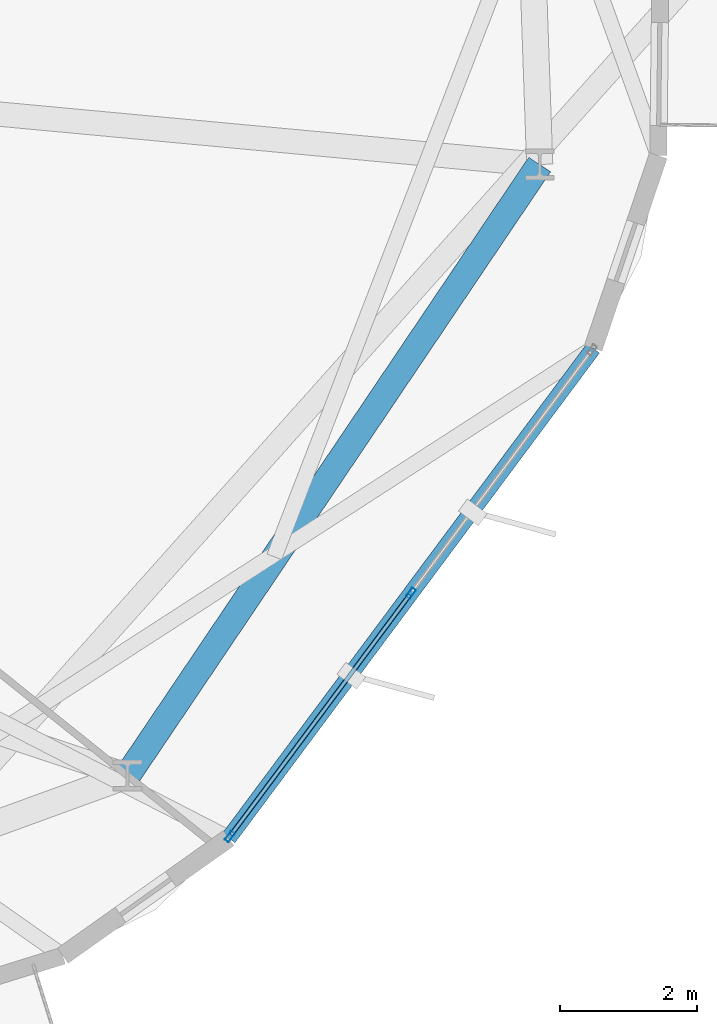
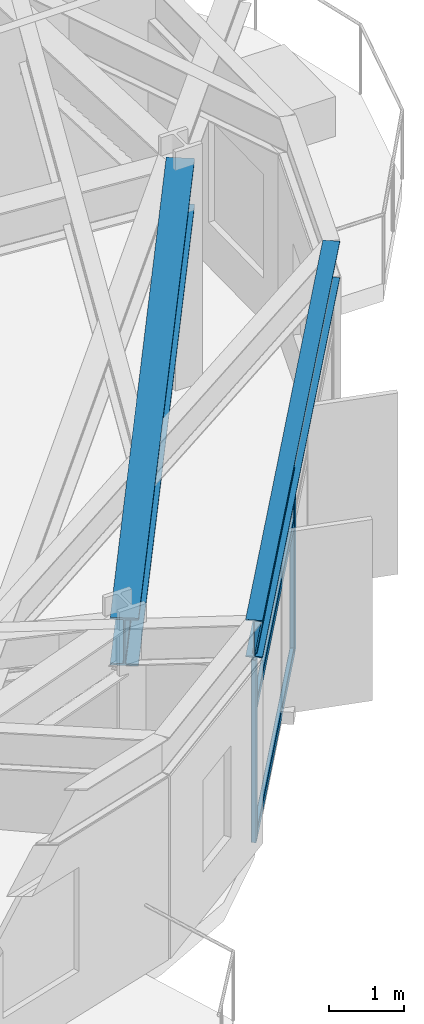
# One storey, part 11 of 27: 5 members, 2 beams, 1 element without a shape of its own.
"""IFC4 building model written with IfcOpenShell, lengths in metres."""

import ifcopenshell
import ifcopenshell.guid

model = None  # the IFC model being written
_history = None  # IfcOwnerHistory: only IFC2X3 demands one
_inside = {}  # id of a spatial element -> (the spatial element, [elements in it])
_under = {}  # id of a project, library or spatial element -> (it, [spatial elements below it])
_declared = {}  # id of a project -> (the project, [libraries it declares])
_typed = {}  # id of a type object -> (the type object, [elements of that type])
_made_of = {}  # id of a material, layer set ... -> (it, [elements and type objects made of it])


def new_model(schema):
    """Start an empty IFC model of exactly this schema.

    Asked for "IFC4X3", IfcOpenShell would pick the latest addendum, in which some entities
    have other attributes; the version numbers below select the first issue.
    IFC2X3 requires an IfcOwnerHistory on every rooted entity: one is made here for all.
    """
    global model, _history
    if schema == "IFC4X3":
        model = ifcopenshell.file(schema_version=(4, 3, 0, 0))
    else:
        model = ifcopenshell.file(schema=schema)
    _inside.clear()
    _under.clear()
    _declared.clear()
    _typed.clear()
    _made_of.clear()
    _history = None
    if model.schema == "IFC2X3":
        org = make("IfcOrganization", Name="unknown")
        user = make(
            "IfcPersonAndOrganization",
            ThePerson=make("IfcPerson", FamilyName="unknown"),
            TheOrganization=org,
        )
        app = make(
            "IfcApplication",
            ApplicationDeveloper=org,
            Version="unknown",
            ApplicationFullName="unknown",
            ApplicationIdentifier="unknown",
        )
        _history = make(
            "IfcOwnerHistory",
            OwningUser=user,
            OwningApplication=app,
            ChangeAction="ADDED",
            CreationDate=0,
        )
    return model


def make(cls, **values):
    """One entity of the class cls with the attributes given. An attribute that is None is left unset."""
    return model.create_entity(
        cls, **{name: value for name, value in values.items() if value is not None}
    )


def rooted(cls, **values):
    """An entity with a GlobalId (a new one), such as an element, a storey or a relation."""
    return make(cls, GlobalId=ifcopenshell.guid.new(), OwnerHistory=_history, **values)


def si_unit(unit_type, name, prefix=None):
    """IfcSIUnit, for example si_unit("LENGTHUNIT", "METRE", prefix="MILLI")."""
    return make("IfcSIUnit", UnitType=unit_type, Prefix=prefix, Name=name)


def assignment(units):
    """IfcUnitAssignment: the units of a project."""
    return None if units is None else make("IfcUnitAssignment", Units=units)


def point(xyz):
    """IfcCartesianPoint."""
    return None if xyz is None else make("IfcCartesianPoint", Coordinates=xyz)


def direction(xyz):
    """IfcDirection."""
    return None if xyz is None else make("IfcDirection", DirectionRatios=xyz)


def frame(location, z_axis=None, x_axis=None):
    """IfcAxis2Placement3D, a coordinate frame: its origin and axes. An axis left out is left unset."""
    return make(
        "IfcAxis2Placement3D",
        Location=point(location),
        Axis=direction(z_axis),
        RefDirection=direction(x_axis),
    )


def frame_2d(location, x_axis=None):
    """IfcAxis2Placement2D, a coordinate frame in the plane: its origin and x axis."""
    return make(
        "IfcAxis2Placement2D", Location=point(location), RefDirection=direction(x_axis)
    )


def origin():
    """The frame at (0, 0, 0) with its axes left unset."""
    return frame((0.0, 0.0, 0.0))


def origin_2d():
    """The frame at (0, 0) in the plane with its x axis left unset."""
    return frame_2d((0.0, 0.0))


def place(relative_to, where):
    """IfcLocalPlacement: puts the frame where relative to a parent placement (None: the world)."""
    return make(
        "IfcLocalPlacement", PlacementRelTo=relative_to, RelativePlacement=where
    )


def context(
    kind, dimensions, precision=None, world=None, true_north=None, identifier=None
):
    """IfcGeometricRepresentationContext, for example the 3D "Model" context."""
    return make(
        "IfcGeometricRepresentationContext",
        ContextIdentifier=identifier,
        ContextType=kind,
        CoordinateSpaceDimension=dimensions,
        Precision=precision,
        WorldCoordinateSystem=world,
        TrueNorth=true_north,
    )


def subcontext(parent, identifier, kind, view, scale=None):
    """IfcGeometricRepresentationSubContext, for example "Body" below "Model"."""
    return make(
        "IfcGeometricRepresentationSubContext",
        ContextIdentifier=identifier,
        ContextType=kind,
        ParentContext=parent,
        TargetScale=scale,
        TargetView=view,
    )


def project(units=None, contexts=None):
    """IfcProject with its units and contexts."""
    return rooted(
        "IfcProject",
        Name="project",
        RepresentationContexts=contexts,
        UnitsInContext=assignment(units),
    )


def spatial(cls, under=None, at=None, **own):
    """A site, building, storey or space (cls), placed at a placement, below another one or the project."""
    s = rooted(cls, ObjectPlacement=at, **own)
    if under is not None:
        _under.setdefault(under.id(), (under, []))[1].append(s)
    return s


def profile(cls, at=None, kind="AREA", **sizes):
    """A parametric profile (cls). Its sizes go by their IFC names, for example OverallWidth=200.0."""
    return make(cls, ProfileType=kind, Position=at, **sizes)


def hollow_rectangle(**sizes):
    """IfcRectangleHollowProfileDef."""
    return profile("IfcRectangleHollowProfileDef", **sizes)


def i_section(**sizes):
    """IfcIShapeProfileDef."""
    return profile("IfcIShapeProfileDef", **sizes)


def extrude(swept, where, along, depth):
    """IfcExtrudedAreaSolid: the profile swept, set in the frame where, extruded along a direction by depth."""
    return make(
        "IfcExtrudedAreaSolid",
        SweptArea=swept,
        Position=where,
        ExtrudedDirection=direction(along),
        Depth=depth,
    )


def shape(context_of_items, identifier, shape_type, items):
    """IfcShapeRepresentation: the items that make up one representation, for example the "Body"."""
    return make(
        "IfcShapeRepresentation",
        ContextOfItems=context_of_items,
        RepresentationIdentifier=identifier,
        RepresentationType=shape_type,
        Items=items,
    )


def material(Name=None, Category=None):
    """IfcMaterial."""
    return make("IfcMaterial", Name=Name, Category=Category)


def layer(
    of_material, thickness, ventilated=None, Name=None, Category=None, Priority=None
):
    """IfcMaterialLayer: one layer of a wall or slab, of a material (None: an air gap)."""
    return make(
        "IfcMaterialLayer",
        Material=of_material,
        LayerThickness=thickness,
        IsVentilated=ventilated,
        Name=Name,
        Category=Category,
        Priority=Priority,
    )


def layer_set(layers, Name=None):
    """IfcMaterialLayerSet."""
    return make("IfcMaterialLayerSet", MaterialLayers=layers, LayerSetName=Name)


def material_profile(
    of_material, cross_section, Name=None, Category=None, Priority=None
):
    """IfcMaterialProfile: a cross section and its material."""
    return make(
        "IfcMaterialProfile",
        Name=Name,
        Material=of_material,
        Profile=cross_section,
        Priority=Priority,
        Category=Category,
    )


def profile_set(profiles, Name=None, composite=None):
    """IfcMaterialProfileSet."""
    return make(
        "IfcMaterialProfileSet",
        Name=Name,
        MaterialProfiles=profiles,
        CompositeProfile=composite,
    )


def made_of(thing, what):
    """Note that an element or type object is made of a material, layer set ...; save() writes the relation."""
    if what is not None:
        _made_of.setdefault(what.id(), (what, []))[1].append(thing)
    return thing


def type_object(cls, material=None, **own):
    """A type object (cls), such as IfcWallType, which elements share."""
    return made_of(rooted(cls, **own), material)


def element(
    cls,
    number,
    at=None,
    inside=None,
    cuts=None,
    type_object=None,
    material=None,
    context=None,
    identifier="Body",
    shape_type=None,
    held_by="IfcProductDefinitionShape",
    body=None,
    shapes=None,
    **own,
):
    """One element of the class cls, such as IfcWall. Its Tag is "e" and its number.

    at: its placement. inside: the storey or other place that contains it. cuts: it is an
    opening in that element (IfcRelVoidsElement). A single representation is given by context,
    identifier, shape_type and body (its items); several are given by shapes. held_by: the class
    of the entity that holds the representations. save() writes the other relations.
    """
    e = rooted(cls, Tag="e%d" % number, ObjectPlacement=at, **own)
    if body is not None:
        shapes = [shape(context, identifier, shape_type, body)]
    if shapes is not None:
        e.Representation = make(held_by, Representations=shapes)
    if inside is not None:
        _inside.setdefault(inside.id(), (inside, []))[1].append(e)
    if cuts is not None:
        rooted(
            "IfcRelVoidsElement", RelatingBuildingElement=cuts, RelatedOpeningElement=e
        )
    if type_object is not None:
        _typed.setdefault(type_object.id(), (type_object, []))[1].append(e)
    return made_of(e, material)


def aggregate(whole, parts):
    """IfcRelAggregates: a whole, such as a stair, and the parts it consists of."""
    return rooted("IfcRelAggregates", RelatingObject=whole, RelatedObjects=parts)


def save(model, path):
    """Write the relations noted so far, then the file.

    IfcRelAggregates (storeys below a building ...), IfcRelContainedInSpatialStructure (elements
    in a storey), IfcRelDefinesByType, IfcRelAssociatesMaterial and IfcRelDeclares: one each for
    every whole, place, type object, material and project.
    """
    for whole, parts in _under.values():
        aggregate(whole, parts)
    for where, things in _inside.values():
        rooted(
            "IfcRelContainedInSpatialStructure",
            RelatedElements=things,
            RelatingStructure=where,
        )
    for kind, things in _typed.values():
        rooted("IfcRelDefinesByType", RelatedObjects=things, RelatingType=kind)
    for what, things in _made_of.values():
        rooted("IfcRelAssociatesMaterial", RelatedObjects=things, RelatingMaterial=what)
    for by, libraries in _declared.values():
        rooted("IfcRelDeclares", RelatingContext=by, RelatedDefinitions=libraries)
    model.write(path)


model = new_model("IFC4")

# Units and contexts
model_context = context("Model", 3, precision=1e-05, world=origin(), true_north=direction((0.0, 1.0)))
body_context = subcontext(model_context, "Body", "Model", "MODEL_VIEW")
ifc_project = project(units=[si_unit("LENGTHUNIT", "METRE"), si_unit("AREAUNIT", "SQUARE_METRE"), si_unit("VOLUMEUNIT", "CUBIC_METRE"), si_unit("PLANEANGLEUNIT", "RADIAN"), si_unit("MASSUNIT", "GRAM", prefix="KILO")], contexts=[model_context])

# Site, building, storey
site_placement = place(None, origin())
site = spatial("IfcSite", under=ifc_project, at=site_placement, CompositionType="ELEMENT")
building_placement = place(site_placement, origin())
building = spatial("IfcBuilding", under=site, at=building_placement, Name="Soratama Intermodal Tower", CompositionType="ELEMENT")
storey_placement = place(building_placement, frame((0.0, 0.0, 95.199951171875)))
storey = spatial("IfcBuildingStorey", under=building, at=storey_placement, Name="L22", CompositionType="ELEMENT", Elevation=95.199951171875)

# Beams
ifc_material_1 = material(Name="Structural steel ASTM A992 Grade 50", Category="steel")
ifc_material_profile_1 = material_profile(ifc_material_1, i_section(OverallWidth=0.382080078125, OverallDepth=0.779052734375, WebThickness=0.01806640625, FlangeThickness=0.030029296875, FilletRadius=0.01806640625, at=origin_2d()), Name="W30X191")
ifc_profile_set_1 = profile_set([ifc_material_profile_1], Name="Structural steel ASTM A992 Grade 50")
beam_type_1 = type_object("IfcBeamType", Name="BM-RING-W30X191", PredefinedType="BEAM", material=ifc_profile_set_1)
beam_1_placement = place(storey_placement, frame((55.7119140625, 11.2890625, 3.21044921875), z_axis=(0.559249807749, 0.828999187293, 0.0), x_axis=(-0.828999187293, 0.559249807749, 0.0)))
element("IfcBeam", 1, at=beam_1_placement, inside=storey, type_object=beam_type_1, Name="BM-L22-RING-09", PredefinedType="BEAM", context=body_context, shape_type="SweptSolid", body=[
    extrude(i_section(OverallWidth=0.382080078125, OverallDepth=0.779052734375, WebThickness=0.01806640625, FlangeThickness=0.030029296875, FilletRadius=0.01806640625, at=origin_2d()), origin(), (0.0, 0.0, 1.0), 10.75390625),
])
ifc_material_2 = material(Name="Structural steel ASTM A992 Grade 50", Category="steel")
ifc_material_profile_2 = material_profile(ifc_material_2, i_section(OverallWidth=0.22900390625, OverallDepth=0.612060546875, WebThickness=0.011962890625, FlangeThickness=0.01953125, FilletRadius=0.012939453125, at=origin_2d()), Name="W24X84")
ifc_profile_set_2 = profile_set([ifc_material_profile_2], Name="Structural steel ASTM A992 Grade 50")
beam_type_2 = type_object("IfcBeamType", Name="BM-SPN-W24X84", PredefinedType="SPANDREL", material=ifc_profile_set_2)
beam_2_placement = place(storey_placement, frame((57.18798828125, 10.3759765625, 3.2939453125), z_axis=(0.597093212926, 0.80217186131, 0.0), x_axis=(-0.80217186131, 0.597093212926, 0.0)))
element("IfcBeam", 2, at=beam_2_placement, inside=storey, type_object=beam_type_2, Name="BS-L22-F09", PredefinedType="SPANDREL", context=body_context, shape_type="SweptSolid", body=[
    extrude(i_section(OverallWidth=0.22900390625, OverallDepth=0.612060546875, WebThickness=0.011962890625, FlangeThickness=0.01953125, FilletRadius=0.012939453125, at=origin_2d()), origin(), (0.0, 0.0, 1.0), 8.908203125),
])

# Curtain wall, members
ifc_material_3 = material(Name="Double-glazed aluminium curtain wall", Category="aluminium")
ifc_layer = layer(ifc_material_3, 0.159912109375)
ifc_layer_set = layer_set([ifc_layer], Name="Double-glazed aluminium curtain wall")
curtain_wall_type = type_object("IfcCurtainWallType", Name="CW-SYS-3", PredefinedType="NOTDEFINED", material=ifc_layer_set)
curtain_wall_placement = place(storey_placement, origin())
curtain_wall = element("IfcCurtainWall", 3, at=curtain_wall_placement, inside=storey, type_object=curtain_wall_type, Name="L22 Faceted Curtain Wall F09", PredefinedType="NOTDEFINED")
ifc_material_4 = material(Name="Anodised aluminium AA 6063-T6", Category="aluminium")
ifc_material_profile_3 = material_profile(ifc_material_4, hollow_rectangle(XDim=0.070068359375, YDim=0.159912109375, WallThickness=0.0048828125, InnerFilletRadius=0.0048828125, OuterFilletRadius=0.010009765625, at=origin_2d()), Name="CWM160X70X5")
ifc_profile_set_3 = profile_set([ifc_material_profile_3], Name="Anodised aluminium AA 6063-T6")
member_type_1 = type_object("IfcMemberType", Name="MT-CWM-3", PredefinedType="MULLION", material=ifc_profile_set_3)
member_1_placement = place(storey_placement, frame((57.2060546875, 10.39990234375, 0.0), z_axis=(0.0, 0.0, 1.0), x_axis=(-0.802188958901, 0.597070242281, 0.0)))
member_1 = element("IfcMember", 4, at=member_1_placement, type_object=member_type_1, Name="CW-3 mullion 1", PredefinedType="MULLION", context=body_context, shape_type="SweptSolid", body=[
    extrude(hollow_rectangle(XDim=0.070068359375, YDim=0.159912109375, WallThickness=0.0048828125, InnerFilletRadius=0.0048828125, OuterFilletRadius=0.010009765625, at=origin_2d()), origin(), (0.0, 0.0, 1.0), 2.97900390625),
])
member_2_placement = place(storey_placement, frame((59.84765625, 13.948974609375, 0.0), z_axis=(0.0, 0.0, 1.0), x_axis=(-0.802188958901, 0.597070242281, 0.0)))
member_2 = element("IfcMember", 5, at=member_2_placement, type_object=member_type_1, Name="CW-3 mullion 2", PredefinedType="MULLION", context=body_context, shape_type="SweptSolid", body=[
    extrude(hollow_rectangle(XDim=0.070068359375, YDim=0.159912109375, WallThickness=0.0048828125, InnerFilletRadius=0.0048828125, OuterFilletRadius=0.010009765625, at=origin_2d()), origin(), (0.0, 0.0, 1.0), 2.97900390625),
])
ifc_material_5 = material(Name="Anodised aluminium AA 6063-T6", Category="aluminium")
ifc_material_profile_4 = material_profile(ifc_material_5, hollow_rectangle(XDim=0.06494140625, YDim=0.14990234375, WallThickness=0.0048828125, InnerFilletRadius=0.0048828125, OuterFilletRadius=0.010009765625, at=origin_2d()), Name="CWT150X65X5")
ifc_profile_set_4 = profile_set([ifc_material_profile_4], Name="Anodised aluminium AA 6063-T6")
member_type_2 = type_object("IfcMemberType", Name="TT-CWT-1", PredefinedType="USERDEFINED", material=ifc_profile_set_4)
member_3_placement = place(storey_placement, frame((57.223876953125, 10.424072265625, 0.030029296875), z_axis=(0.597060166992, 0.802196457853, 0.0), x_axis=(-0.802196457853, 0.597060166992, 0.0)))
member_3 = element("IfcMember", 6, at=member_3_placement, type_object=member_type_2, Name="CW-3 transom 1.1", ObjectType="TRANSOM", PredefinedType="USERDEFINED", context=body_context, shape_type="SweptSolid", body=[
    extrude(hollow_rectangle(XDim=0.06494140625, YDim=0.14990234375, WallThickness=0.0048828125, InnerFilletRadius=0.0048828125, OuterFilletRadius=0.010009765625, at=origin_2d()), origin(), (0.0, 0.0, 1.0), 4.3642578125),
])
member_4_placement = place(storey_placement, frame((57.223876953125, 10.424072265625, 2.150146484375), z_axis=(0.597060166992, 0.802196457853, 0.0), x_axis=(-0.802196457853, 0.597060166992, 0.0)))
member_4 = element("IfcMember", 7, at=member_4_placement, type_object=member_type_2, Name="CW-3 transom 1.2", ObjectType="TRANSOM", PredefinedType="USERDEFINED", context=body_context, shape_type="SweptSolid", body=[
    extrude(hollow_rectangle(XDim=0.06494140625, YDim=0.14990234375, WallThickness=0.0048828125, InnerFilletRadius=0.0048828125, OuterFilletRadius=0.010009765625, at=origin_2d()), origin(), (0.0, 0.0, 1.0), 4.3642578125),
])
member_5_placement = place(storey_placement, frame((57.223876953125, 10.424072265625, 2.948974609375), z_axis=(0.597060166992, 0.802196457853, 0.0), x_axis=(-0.802196457853, 0.597060166992, 0.0)))
member_5 = element("IfcMember", 8, at=member_5_placement, type_object=member_type_2, Name="CW-3 transom 1.3", ObjectType="TRANSOM", PredefinedType="USERDEFINED", context=body_context, shape_type="SweptSolid", body=[
    extrude(hollow_rectangle(XDim=0.06494140625, YDim=0.14990234375, WallThickness=0.0048828125, InnerFilletRadius=0.0048828125, OuterFilletRadius=0.010009765625, at=origin_2d()), origin(), (0.0, 0.0, 1.0), 4.3642578125),
])
aggregate(curtain_wall, [member_1, member_2, member_3, member_4, member_5])

save(model, "model.ifc")
